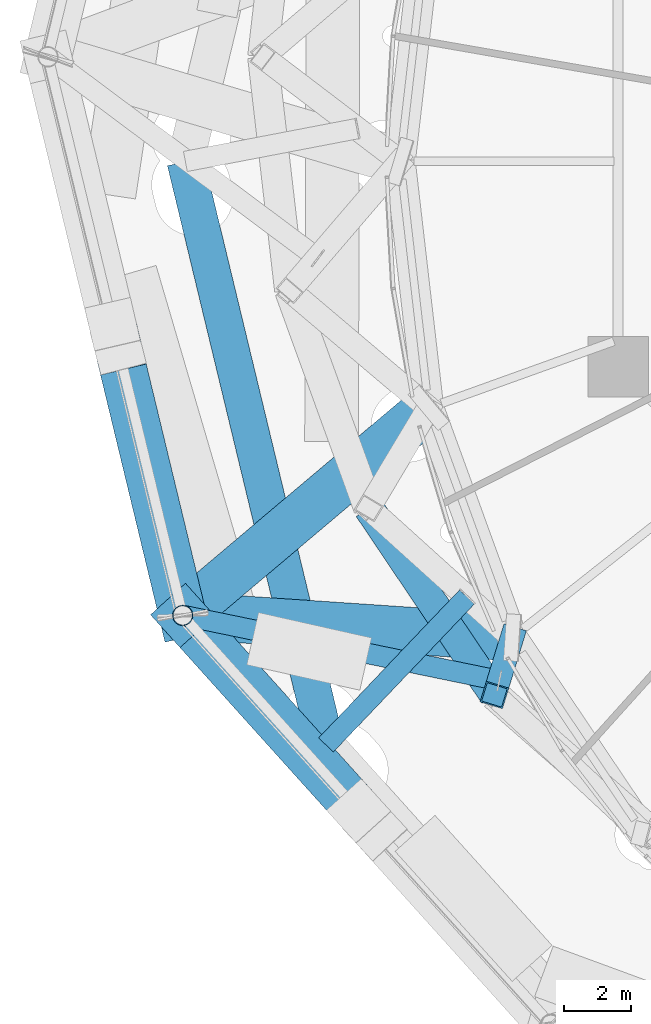
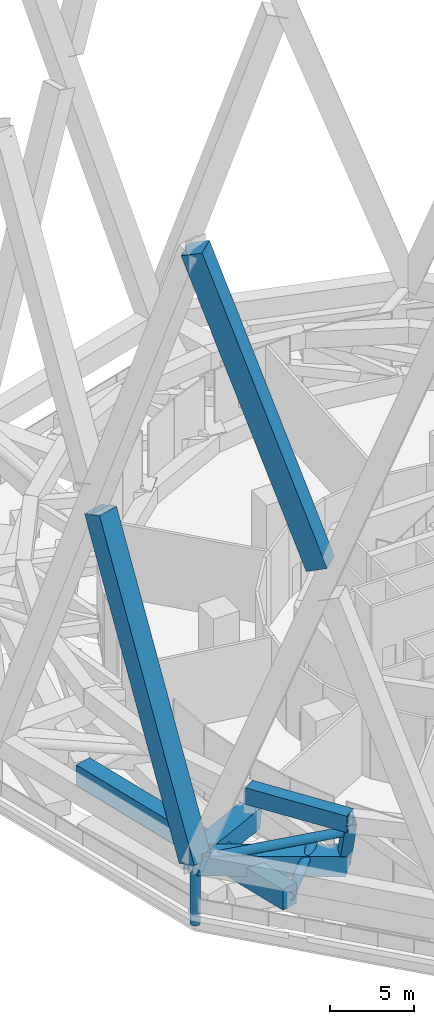
# One storey, part 8 of 60: 8 members, 2 beams.
"""IFC4 building model written with IfcOpenShell, lengths in metres."""

import ifcopenshell
import ifcopenshell.guid

model = None  # the IFC model being written
_history = None  # IfcOwnerHistory: only IFC2X3 demands one
_inside = {}  # id of a spatial element -> (the spatial element, [elements in it])
_under = {}  # id of a project, library or spatial element -> (it, [spatial elements below it])
_declared = {}  # id of a project -> (the project, [libraries it declares])
_typed = {}  # id of a type object -> (the type object, [elements of that type])
_made_of = {}  # id of a material, layer set ... -> (it, [elements and type objects made of it])


def new_model(schema):
    """Start an empty IFC model of exactly this schema.

    Asked for "IFC4X3", IfcOpenShell would pick the latest addendum, in which some entities
    have other attributes; the version numbers below select the first issue.
    IFC2X3 requires an IfcOwnerHistory on every rooted entity: one is made here for all.
    """
    global model, _history
    if schema == "IFC4X3":
        model = ifcopenshell.file(schema_version=(4, 3, 0, 0))
    else:
        model = ifcopenshell.file(schema=schema)
    _inside.clear()
    _under.clear()
    _declared.clear()
    _typed.clear()
    _made_of.clear()
    _history = None
    if model.schema == "IFC2X3":
        org = make("IfcOrganization", Name="unknown")
        user = make(
            "IfcPersonAndOrganization",
            ThePerson=make("IfcPerson", FamilyName="unknown"),
            TheOrganization=org,
        )
        app = make(
            "IfcApplication",
            ApplicationDeveloper=org,
            Version="unknown",
            ApplicationFullName="unknown",
            ApplicationIdentifier="unknown",
        )
        _history = make(
            "IfcOwnerHistory",
            OwningUser=user,
            OwningApplication=app,
            ChangeAction="ADDED",
            CreationDate=0,
        )
    return model


def make(cls, **values):
    """One entity of the class cls with the attributes given. An attribute that is None is left unset."""
    return model.create_entity(
        cls, **{name: value for name, value in values.items() if value is not None}
    )


def rooted(cls, **values):
    """An entity with a GlobalId (a new one), such as an element, a storey or a relation."""
    return make(cls, GlobalId=ifcopenshell.guid.new(), OwnerHistory=_history, **values)


def si_unit(unit_type, name, prefix=None):
    """IfcSIUnit, for example si_unit("LENGTHUNIT", "METRE", prefix="MILLI")."""
    return make("IfcSIUnit", UnitType=unit_type, Prefix=prefix, Name=name)


def assignment(units):
    """IfcUnitAssignment: the units of a project."""
    return None if units is None else make("IfcUnitAssignment", Units=units)


def point(xyz):
    """IfcCartesianPoint."""
    return None if xyz is None else make("IfcCartesianPoint", Coordinates=xyz)


def direction(xyz):
    """IfcDirection."""
    return None if xyz is None else make("IfcDirection", DirectionRatios=xyz)


def frame(location, z_axis=None, x_axis=None):
    """IfcAxis2Placement3D, a coordinate frame: its origin and axes. An axis left out is left unset."""
    return make(
        "IfcAxis2Placement3D",
        Location=point(location),
        Axis=direction(z_axis),
        RefDirection=direction(x_axis),
    )


def frame_2d(location, x_axis=None):
    """IfcAxis2Placement2D, a coordinate frame in the plane: its origin and x axis."""
    return make(
        "IfcAxis2Placement2D", Location=point(location), RefDirection=direction(x_axis)
    )


def origin():
    """The frame at (0, 0, 0) with its axes left unset."""
    return frame((0.0, 0.0, 0.0))


def origin_2d():
    """The frame at (0, 0) in the plane with its x axis left unset."""
    return frame_2d((0.0, 0.0))


def place(relative_to, where):
    """IfcLocalPlacement: puts the frame where relative to a parent placement (None: the world)."""
    return make(
        "IfcLocalPlacement", PlacementRelTo=relative_to, RelativePlacement=where
    )


def context(
    kind, dimensions, precision=None, world=None, true_north=None, identifier=None
):
    """IfcGeometricRepresentationContext, for example the 3D "Model" context."""
    return make(
        "IfcGeometricRepresentationContext",
        ContextIdentifier=identifier,
        ContextType=kind,
        CoordinateSpaceDimension=dimensions,
        Precision=precision,
        WorldCoordinateSystem=world,
        TrueNorth=true_north,
    )


def subcontext(parent, identifier, kind, view, scale=None):
    """IfcGeometricRepresentationSubContext, for example "Body" below "Model"."""
    return make(
        "IfcGeometricRepresentationSubContext",
        ContextIdentifier=identifier,
        ContextType=kind,
        ParentContext=parent,
        TargetScale=scale,
        TargetView=view,
    )


def project(units=None, contexts=None):
    """IfcProject with its units and contexts."""
    return rooted(
        "IfcProject",
        Name="project",
        RepresentationContexts=contexts,
        UnitsInContext=assignment(units),
    )


def spatial(cls, under=None, at=None, **own):
    """A site, building, storey or space (cls), placed at a placement, below another one or the project."""
    s = rooted(cls, ObjectPlacement=at, **own)
    if under is not None:
        _under.setdefault(under.id(), (under, []))[1].append(s)
    return s


def profile(cls, at=None, kind="AREA", **sizes):
    """A parametric profile (cls). Its sizes go by their IFC names, for example OverallWidth=200.0."""
    return make(cls, ProfileType=kind, Position=at, **sizes)


def rectangle(**sizes):
    """IfcRectangleProfileDef."""
    return profile("IfcRectangleProfileDef", **sizes)


def hollow_rectangle(**sizes):
    """IfcRectangleHollowProfileDef."""
    return profile("IfcRectangleHollowProfileDef", **sizes)


def hollow_circle(**sizes):
    """IfcCircleHollowProfileDef."""
    return profile("IfcCircleHollowProfileDef", **sizes)


def extrude(swept, where, along, depth):
    """IfcExtrudedAreaSolid: the profile swept, set in the frame where, extruded along a direction by depth."""
    return make(
        "IfcExtrudedAreaSolid",
        SweptArea=swept,
        Position=where,
        ExtrudedDirection=direction(along),
        Depth=depth,
    )


def shape(context_of_items, identifier, shape_type, items):
    """IfcShapeRepresentation: the items that make up one representation, for example the "Body"."""
    return make(
        "IfcShapeRepresentation",
        ContextOfItems=context_of_items,
        RepresentationIdentifier=identifier,
        RepresentationType=shape_type,
        Items=items,
    )


def material(Name=None, Category=None):
    """IfcMaterial."""
    return make("IfcMaterial", Name=Name, Category=Category)


def material_profile(
    of_material, cross_section, Name=None, Category=None, Priority=None
):
    """IfcMaterialProfile: a cross section and its material."""
    return make(
        "IfcMaterialProfile",
        Name=Name,
        Material=of_material,
        Profile=cross_section,
        Priority=Priority,
        Category=Category,
    )


def profile_set(profiles, Name=None, composite=None):
    """IfcMaterialProfileSet."""
    return make(
        "IfcMaterialProfileSet",
        Name=Name,
        MaterialProfiles=profiles,
        CompositeProfile=composite,
    )


def made_of(thing, what):
    """Note that an element or type object is made of a material, layer set ...; save() writes the relation."""
    if what is not None:
        _made_of.setdefault(what.id(), (what, []))[1].append(thing)
    return thing


def type_object(cls, material=None, **own):
    """A type object (cls), such as IfcWallType, which elements share."""
    return made_of(rooted(cls, **own), material)


def element(
    cls,
    number,
    at=None,
    inside=None,
    cuts=None,
    type_object=None,
    material=None,
    context=None,
    identifier="Body",
    shape_type=None,
    held_by="IfcProductDefinitionShape",
    body=None,
    shapes=None,
    **own,
):
    """One element of the class cls, such as IfcWall. Its Tag is "e" and its number.

    at: its placement. inside: the storey or other place that contains it. cuts: it is an
    opening in that element (IfcRelVoidsElement). A single representation is given by context,
    identifier, shape_type and body (its items); several are given by shapes. held_by: the class
    of the entity that holds the representations. save() writes the other relations.
    """
    e = rooted(cls, Tag="e%d" % number, ObjectPlacement=at, **own)
    if body is not None:
        shapes = [shape(context, identifier, shape_type, body)]
    if shapes is not None:
        e.Representation = make(held_by, Representations=shapes)
    if inside is not None:
        _inside.setdefault(inside.id(), (inside, []))[1].append(e)
    if cuts is not None:
        rooted(
            "IfcRelVoidsElement", RelatingBuildingElement=cuts, RelatedOpeningElement=e
        )
    if type_object is not None:
        _typed.setdefault(type_object.id(), (type_object, []))[1].append(e)
    return made_of(e, material)


def aggregate(whole, parts):
    """IfcRelAggregates: a whole, such as a stair, and the parts it consists of."""
    return rooted("IfcRelAggregates", RelatingObject=whole, RelatedObjects=parts)


def save(model, path):
    """Write the relations noted so far, then the file.

    IfcRelAggregates (storeys below a building ...), IfcRelContainedInSpatialStructure (elements
    in a storey), IfcRelDefinesByType, IfcRelAssociatesMaterial and IfcRelDeclares: one each for
    every whole, place, type object, material and project.
    """
    for whole, parts in _under.values():
        aggregate(whole, parts)
    for where, things in _inside.values():
        rooted(
            "IfcRelContainedInSpatialStructure",
            RelatedElements=things,
            RelatingStructure=where,
        )
    for kind, things in _typed.values():
        rooted("IfcRelDefinesByType", RelatedObjects=things, RelatingType=kind)
    for what, things in _made_of.values():
        rooted("IfcRelAssociatesMaterial", RelatedObjects=things, RelatingMaterial=what)
    for by, libraries in _declared.values():
        rooted("IfcRelDeclares", RelatingContext=by, RelatedDefinitions=libraries)
    model.write(path)


model = new_model("IFC4")

# Units and contexts
model_context = context("Model", 3, precision=1e-05, world=origin(), true_north=direction((0.0, 1.0)))
body_context = subcontext(model_context, "Body", "Model", "MODEL_VIEW")
ifc_project = project(units=[si_unit("LENGTHUNIT", "METRE"), si_unit("AREAUNIT", "SQUARE_METRE"), si_unit("VOLUMEUNIT", "CUBIC_METRE"), si_unit("PLANEANGLEUNIT", "RADIAN"), si_unit("MASSUNIT", "GRAM", prefix="KILO")], contexts=[model_context])

# Site, building, storey
site_placement = place(None, origin())
site = spatial("IfcSite", under=ifc_project, at=site_placement, CompositionType="ELEMENT")
building_placement = place(site_placement, origin())
building = spatial("IfcBuilding", under=site, at=building_placement, Name="Nagisa Residences", CompositionType="ELEMENT")
storey_placement = place(building_placement, frame((0.0, 0.0, 206.60009765625)))
storey = spatial("IfcBuildingStorey", under=building, at=storey_placement, Name="L52", CompositionType="ELEMENT", Elevation=206.60009765625)

# Beams
ifc_material_1 = material(Name="Steel ASTM A572 Gr 50", Category="steel")
ifc_material_profile_1 = material_profile(ifc_material_1, hollow_rectangle(XDim=0.89990234375, YDim=1.199951171875, WallThickness=0.044921875, at=origin_2d()), Name="BX 900x1200x45")
ifc_profile_set_1 = profile_set([ifc_material_profile_1], Name="Steel ASTM A572 Gr 50")
beam_type_1 = type_object("IfcBeamType", Name="Belt chord 4 BX 900x1200x45", PredefinedType="BEAM", material=ifc_profile_set_1)
beam_1_placement = place(storey_placement, frame((-22.212158203125, -10.327392578125, 4.739990234375), z_axis=(0.558086989811, -0.829782448479, 0.0), x_axis=(0.829782448479, 0.558086989811, 0.0)))
element("IfcBeam", 1, at=beam_1_placement, inside=storey, type_object=beam_type_1, Name="beam:L52:bt4t15", PredefinedType="BEAM", context=body_context, shape_type="SweptSolid", body=[
    extrude(hollow_rectangle(XDim=0.89990234375, YDim=1.199951171875, WallThickness=0.044921875, at=origin_2d()), origin(), (0.0, 0.0, 1.0), 6.71142578125),
])
ifc_material_2 = material(Name="Steel ASTM A572 Gr 50", Category="steel")
ifc_material_profile_2 = material_profile(ifc_material_2, hollow_rectangle(XDim=0.699951171875, YDim=0.699951171875, WallThickness=0.0400390625, at=origin_2d()), Name="BX 700x700x40")
ifc_profile_set_2 = profile_set([ifc_material_profile_2], Name="Steel ASTM A572 Gr 50")
beam_type_2 = type_object("IfcBeamType", Name="Belt diagonal 4 BX 700x700x40", PredefinedType="BEAM", material=ifc_profile_set_2)
beam_2_placement = place(storey_placement, frame((-17.9423828125, -14.1875, 0.599853515625), z_axis=(-0.116235319909, -0.378969370918, 0.91808037029), x_axis=(0.956041446163, -0.293231569273, 0.0)))
element("IfcBeam", 2, at=beam_2_placement, inside=storey, type_object=beam_type_2, Name="beam:L52:bt4db15", PredefinedType="BEAM", context=body_context, shape_type="SweptSolid", body=[
    extrude(hollow_rectangle(XDim=0.699951171875, YDim=0.699951171875, WallThickness=0.0400390625, at=origin_2d()), origin(), (0.0, 0.0, 1.0), 4.509521484375),
])

# Members
ifc_material_3 = material(Name="Concrete C80", Category="concrete")
ifc_material_profile_3 = material_profile(ifc_material_3, rectangle(XDim=1.39990234375, YDim=1.39990234375, at=origin_2d()), Name="C80 1400x1400")
ifc_profile_set_3 = profile_set([ifc_material_profile_3], Name="Concrete C80")
member_type_1 = type_object("IfcMemberType", Name="Cage bracket 5 C80 1400x1400", PredefinedType="BRACE", material=ifc_profile_set_3)
member_1_placement = place(storey_placement, frame((-27.7548828125, -13.52734375, 3.699951171875), z_axis=(0.727179052891, 0.613642883836, -0.307657335608), x_axis=(-0.644923463276, 0.764247163237, 0.0)))
element("IfcMember", 3, at=member_1_placement, inside=storey, type_object=member_type_1, Name="mem:L52:cg4ob09", PredefinedType="BRACE", context=body_context, shape_type="SweptSolid", body=[
    extrude(rectangle(XDim=1.39990234375, YDim=1.39990234375, at=origin_2d()), origin(), (0.0, 0.0, 1.0), 10.076416015625),
])
member_2_placement = place(storey_placement, frame((-27.7548828125, -13.52734375, 3.699951171875), z_axis=(0.951587132171, -0.064019994163, -0.300638271405), x_axis=(0.067125330097, 0.997744551506, 0.0)))
element("IfcMember", 4, at=member_2_placement, inside=storey, type_object=member_type_1, Name="mem:L52:cg4ob10", PredefinedType="BRACE", context=body_context, shape_type="SweptSolid", body=[
    extrude(rectangle(XDim=1.39990234375, YDim=1.39990234375, at=origin_2d()), origin(), (0.0, 0.0, 1.0), 10.311767578125),
])
ifc_material_4 = material(Name="Concrete C80", Category="concrete")
ifc_material_profile_4 = material_profile(ifc_material_4, rectangle(XDim=1.39990234375, YDim=1.39990234375, at=origin_2d()), Name="C80 1400x1400")
ifc_profile_set_4 = profile_set([ifc_material_profile_4], Name="Concrete C80")
member_type_2 = type_object("IfcMemberType", Name="Cage diagonal 5 C80 1400x1400", PredefinedType="BRACE", material=ifc_profile_set_4)
member_3_placement = place(storey_placement, frame((-27.7548828125, -13.52734375, 3.699951171875), z_axis=(-0.084202215724, 0.349093034157, 0.933297401888), x_axis=(-0.972121333874, -0.234478383284, 0.0)))
element("IfcMember", 5, at=member_3_placement, inside=storey, type_object=member_type_2, Name="mem:L52:cg5d014a", PredefinedType="BRACE", context=body_context, shape_type="SweptSolid", body=[
    extrude(rectangle(XDim=1.39990234375, YDim=1.39990234375, at=origin_2d()), origin(), (0.0, 0.0, 1.0), 22.81591796875),
])
member_4_placement = place(storey_placement, frame((-22.514892578125, -19.34765625, 26.943603515625), z_axis=(-0.231313832121, 0.256931545346, 0.938339007009), x_axis=(-0.743185630651, -0.669085284843, 0.0)))
element("IfcMember", 6, at=member_4_placement, inside=storey, type_object=member_type_2, Name="mem:L52:cg5d016b", PredefinedType="BRACE", context=body_context, shape_type="SweptSolid", body=[
    extrude(rectangle(XDim=1.39990234375, YDim=1.39990234375, at=origin_2d()), origin(), (0.0, 0.0, 1.0), 22.653076171875),
])
ifc_material_5 = material(Name="Concrete C80", Category="concrete")
ifc_material_profile_5 = material_profile(ifc_material_5, rectangle(XDim=1.10009765625, YDim=1.5, at=origin_2d()), Name="C80 1100x1500")
ifc_profile_set_5 = profile_set([ifc_material_profile_5], Name="Concrete C80")
member_type_3 = type_object("IfcMemberType", Name="Cage ring 4 C80 1100x1500", PredefinedType="CHORD", material=ifc_profile_set_5)
member_5_placement = place(storey_placement, frame((-27.675048828125, 0.0, 1.89990234375), z_axis=(0.234282017456, -0.972168676875, 0.0), x_axis=(0.972168676875, 0.234282017456, 0.0)))
element("IfcMember", 7, at=member_5_placement, inside=storey, type_object=member_type_3, Name="beam:L52:cg4r107", PredefinedType="CHORD", context=body_context, shape_type="SweptSolid", body=[
    extrude(rectangle(XDim=1.10009765625, YDim=1.5, at=origin_2d()), origin(), (0.0, 0.0, 1.0), 17.88525390625),
])
ifc_material_6 = material(Name="Steel ASTM A572 Gr 65", Category="steel")
ifc_material_profile_6 = material_profile(ifc_material_6, hollow_circle(Radius=0.304931640625, WallThickness=0.02490234375, at=origin_2d()), Name="CHS 610x25")
ifc_profile_set_6 = profile_set([ifc_material_profile_6], Name="Steel ASTM A572 Gr 65")
member_type_4 = type_object("IfcMemberType", Name="Cage strut CHS 610x25", PredefinedType="STRUT", material=ifc_profile_set_6)
member_6_placement = place(storey_placement, frame((-23.48486328125, -17.387451171875, 1.89990234375), z_axis=(0.689625154165, 0.724166518656, 0.0), x_axis=(-0.724166518656, 0.689625154165, 0.0)))
element("IfcMember", 8, at=member_6_placement, inside=storey, type_object=member_type_4, Name="mem:L52:bt4st4a08", PredefinedType="STRUT", context=body_context, shape_type="SweptSolid", body=[
    extrude(hollow_circle(Radius=0.304931640625, WallThickness=0.02490234375, at=origin_2d()), origin(), (0.0, 0.0, 1.0), 6.0927734375),
])
member_7_placement = place(storey_placement, frame((-27.7548828125, -13.52734375, 3.699951171875), z_axis=(0.979450849301, -0.201683003258, 0.0), x_axis=(0.201683003258, 0.979450849301, 0.0)))
element("IfcMember", 9, at=member_7_placement, inside=storey, type_object=member_type_4, Name="mem:L52:bt4st5b08", PredefinedType="STRUT", context=body_context, shape_type="SweptSolid", body=[
    extrude(hollow_circle(Radius=0.304931640625, WallThickness=0.02490234375, at=origin_2d()), origin(), (0.0, 0.0, 1.0), 9.61767578125),
])
ifc_material_7 = material(Name="Steel ASTM A572 Gr 65", Category="steel")
ifc_material_profile_7 = material_profile(ifc_material_7, hollow_circle(Radius=0.304931640625, WallThickness=0.02490234375, at=origin_2d()), Name="CHS 610x25")
ifc_profile_set_7 = profile_set([ifc_material_profile_7], Name="Steel ASTM A572 Gr 65")
member_type_5 = type_object("IfcMemberType", Name="Deck hanger CHS 610x25", PredefinedType="POST", material=ifc_profile_set_7)
member_8_placement = place(storey_placement, frame((-27.7548828125, -13.52734375, 3.0), z_axis=(0.0, 0.0, -1.0), x_axis=(1.0, 0.0, 0.0)))
element("IfcMember", 10, at=member_8_placement, inside=storey, type_object=member_type_5, Name="mem:L52:deckhanger07", PredefinedType="POST", context=body_context, shape_type="SweptSolid", body=[
    extrude(hollow_circle(Radius=0.304931640625, WallThickness=0.02490234375, at=origin_2d()), origin(), (0.0, 0.0, 1.0), 3.89013671875),
])

save(model, "model.ifc")
